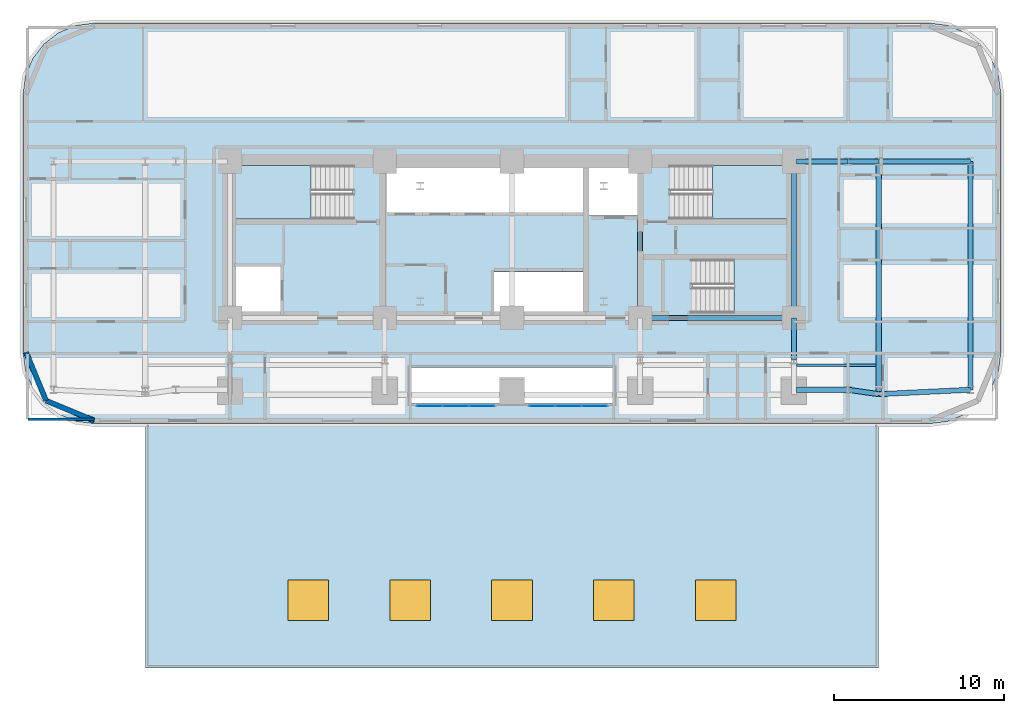
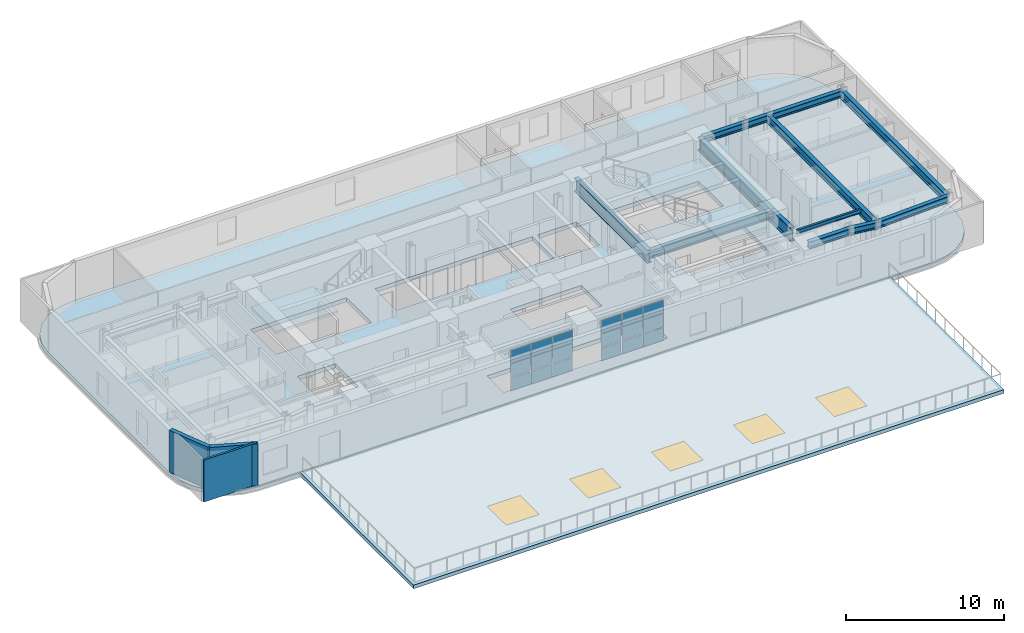
# One storey, part 6 of 15: 18 plates, 13 beams, 5 slabs, 5 windows, 3 walls, 5 openings, 5 elements without a shape of their own.
"""IFC4 building model written with IfcOpenShell, lengths in metres."""

from ifc_helpers import new_model, si_unit, direction, frame, frame_2d, origin, origin_2d, place, context, subcontext, project, spatial, polyline, rectangle, i_section, outline, extrude, material, layer, layer_set, material_profile, profile_set, type_object, element, fill, aggregate, save


model = new_model("IFC4")

# Units and contexts
model_context = context("Model", 3, precision=1e-05, world=origin(), true_north=direction((0.0, 1.0)))
body_context = subcontext(model_context, "Body", "Model", "MODEL_VIEW")
ifc_project = project(units=[si_unit("LENGTHUNIT", "METRE"), si_unit("AREAUNIT", "SQUARE_METRE"), si_unit("VOLUMEUNIT", "CUBIC_METRE"), si_unit("PLANEANGLEUNIT", "RADIAN"), si_unit("MASSUNIT", "GRAM", prefix="KILO")], contexts=[model_context])

# Site, building, storey
site_placement = place(None, origin())
site = spatial("IfcSite", under=ifc_project, at=site_placement, CompositionType="ELEMENT")
building_placement = place(site_placement, origin())
building = spatial("IfcBuilding", under=site, at=building_placement, Name="Zarnavel Station Tower", CompositionType="ELEMENT")
storey_placement = place(building_placement, frame((0.0, 0.0, 29.0)))
storey = spatial("IfcBuildingStorey", under=building, at=storey_placement, Name="L07", CompositionType="ELEMENT", Elevation=29.0)

# Beams
ifc_material_1 = material(Name="Steel S355J2", Category="steel")
ifc_material_profile_1 = material_profile(ifc_material_1, i_section(OverallWidth=0.300048828125, OverallDepth=0.5, WebThickness=0.014404296875, FlangeThickness=0.028076171875, FilletRadius=0.027099609375, at=origin_2d()), Name="HEB500")
ifc_profile_set_1 = profile_set([ifc_material_profile_1], Name="Steel S355J2")
beam_type_1 = type_object("IfcBeamType", Name="FG_HEB500", PredefinedType="USERDEFINED", material=ifc_profile_set_1)
for number, where, z_axis, x_axis, name in (
    (1, (45.544921875, 23.60009765625, 2.989990234375), (1.0, 0.0, 0.0), (0.0, 1.0, 0.0), "L07 East Wing South Tie 1"),
    (2, (45.544921875, 37.050048828125, 2.989990234375), (1.0, 0.0, 0.0), (0.0, 1.0, 0.0), "L07 East Wing North Tie 1"),
):
    element("IfcBeam", number, at=place(storey_placement, frame(where, z_axis=z_axis, x_axis=x_axis)), inside=storey, type_object=beam_type_1, Name=name, ObjectType="GIRDER", PredefinedType="USERDEFINED", context=body_context, shape_type="SweptSolid", body=[
        extrude(i_section(OverallWidth=0.300048828125, OverallDepth=0.5, WebThickness=0.014404296875, FlangeThickness=0.028076171875, FilletRadius=0.027099609375, at=origin_2d()), origin(), (0.0, 0.0, 1.0), 3.05517578125),
    ])
beam_1_placement = place(storey_placement, frame((48.60009765625, 23.60009765625, 2.989990234375), z_axis=(0.989744391991, -0.142849706061, 0.0), x_axis=(0.142849706061, 0.989744391991, 0.0)))
element("IfcBeam", 3, at=beam_1_placement, inside=storey, type_object=beam_type_1, Name="L07 East Wing South Tie 2", ObjectType="GIRDER", PredefinedType="USERDEFINED", context=body_context, shape_type="SweptSolid", body=[
    extrude(i_section(OverallWidth=0.300048828125, OverallDepth=0.5, WebThickness=0.014404296875, FlangeThickness=0.028076171875, FilletRadius=0.027099609375, at=origin_2d()), origin(), (0.0, 0.0, 1.0), 1.818359375),
])
beam_2_placement = place(storey_placement, frame((48.60009765625, 37.050048828125, 2.989990234375), z_axis=(1.0, 0.0, 0.0), x_axis=(0.0, 1.0, 0.0)))
element("IfcBeam", 4, at=beam_2_placement, inside=storey, type_object=beam_type_1, Name="L07 East Wing North Tie 2", ObjectType="GIRDER", PredefinedType="USERDEFINED", context=body_context, shape_type="SweptSolid", body=[
    extrude(i_section(OverallWidth=0.300048828125, OverallDepth=0.5, WebThickness=0.014404296875, FlangeThickness=0.028076171875, FilletRadius=0.027099609375, at=origin_2d()), origin(), (0.0, 0.0, 1.0), 1.7998046875),
])
beam_3_placement = place(storey_placement, frame((50.39990234375, 23.34033203125, 2.989990234375), z_axis=(0.998845033514, 0.048047882619, 0.0), x_axis=(-0.048047882619, 0.998845033514, 0.0)))
element("IfcBeam", 5, at=beam_3_placement, inside=storey, type_object=beam_type_1, Name="L07 East Wing South Tie 3", ObjectType="GIRDER", PredefinedType="USERDEFINED", context=body_context, shape_type="SweptSolid", body=[
    extrude(i_section(OverallWidth=0.300048828125, OverallDepth=0.5, WebThickness=0.014404296875, FlangeThickness=0.028076171875, FilletRadius=0.027099609375, at=origin_2d()), origin(), (0.0, 0.0, 1.0), 5.406494140625),
])
beam_4_placement = place(storey_placement, frame((50.39990234375, 37.050048828125, 2.989990234375), z_axis=(1.0, 0.0, 0.0), x_axis=(0.0, 1.0, 0.0)))
element("IfcBeam", 6, at=beam_4_placement, inside=storey, type_object=beam_type_1, Name="L07 East Wing North Tie 3", ObjectType="GIRDER", PredefinedType="USERDEFINED", context=body_context, shape_type="SweptSolid", body=[
    extrude(i_section(OverallWidth=0.300048828125, OverallDepth=0.5, WebThickness=0.014404296875, FlangeThickness=0.028076171875, FilletRadius=0.027099609375, at=origin_2d()), origin(), (0.0, 0.0, 1.0), 5.400146484375),
])
ifc_material_2 = material(Name="Steel S355J2", Category="steel")
ifc_material_profile_2 = material_profile(ifc_material_2, i_section(OverallWidth=0.300048828125, OverallDepth=0.60009765625, WebThickness=0.015380859375, FlangeThickness=0.030029296875, FilletRadius=0.027099609375, at=origin_2d()), Name="HEB600")
ifc_profile_set_2 = profile_set([ifc_material_profile_2], Name="Steel S355J2")
beam_type_2 = type_object("IfcBeamType", Name="FG_HEB600", PredefinedType="USERDEFINED", material=ifc_profile_set_2)
beam_5_placement = place(storey_placement, frame((36.35009765625, 27.820068359375, 2.93994140625), z_axis=(1.0, 0.0, 0.0), x_axis=(0.0, 1.0, 0.0)))
element("IfcBeam", 7, at=beam_5_placement, inside=storey, type_object=beam_type_2, Name="L07 Core Front Coupling Beam 4", ObjectType="GIRDER", PredefinedType="USERDEFINED", context=body_context, shape_type="SweptSolid", body=[
    extrude(i_section(OverallWidth=0.300048828125, OverallDepth=0.60009765625, WebThickness=0.015380859375, FlangeThickness=0.030029296875, FilletRadius=0.027099609375, at=origin_2d()), origin(), (0.0, 0.0, 1.0), 9.0498046875),
])
ifc_material_3 = material(Name="Steel S355J2", Category="steel")
ifc_material_profile_3 = material_profile(ifc_material_3, i_section(OverallWidth=0.300048828125, OverallDepth=0.64990234375, WebThickness=0.01611328125, FlangeThickness=0.031005859375, FilletRadius=0.027099609375, at=origin_2d()), Name="HEB650")
ifc_profile_set_3 = profile_set([ifc_material_profile_3], Name="Steel S355J2")
beam_type_3 = type_object("IfcBeamType", Name="FG_HEB650", PredefinedType="USERDEFINED", material=ifc_profile_set_3)
beam_6_placement = place(storey_placement, frame((50.39990234375, 23.34033203125, 2.9150390625), z_axis=(0.0, 1.0, 0.0), x_axis=(-1.0, 0.0, 0.0)))
element("IfcBeam", 8, at=beam_6_placement, inside=storey, type_object=beam_type_3, Name="L07 Wing NS Girder 3", ObjectType="GIRDER", PredefinedType="USERDEFINED", context=body_context, shape_type="SweptSolid", body=[
    extrude(i_section(OverallWidth=0.300048828125, OverallDepth=0.64990234375, WebThickness=0.01611328125, FlangeThickness=0.031005859375, FilletRadius=0.027099609375, at=origin_2d()), origin(), (0.0, 0.0, 1.0), 13.709716796875),
])
beam_7_placement = place(storey_placement, frame((55.800048828125, 23.60009765625, 2.9150390625), z_axis=(0.0, 1.0, 0.0), x_axis=(-1.0, 0.0, 0.0)))
element("IfcBeam", 9, at=beam_7_placement, inside=storey, type_object=beam_type_3, Name="L07 Wing NS Girder 4", ObjectType="GIRDER", PredefinedType="USERDEFINED", context=body_context, shape_type="SweptSolid", body=[
    extrude(i_section(OverallWidth=0.300048828125, OverallDepth=0.64990234375, WebThickness=0.01611328125, FlangeThickness=0.031005859375, FilletRadius=0.027099609375, at=origin_2d()), origin(), (0.0, 0.0, 1.0), 13.449951171875),
])
ifc_material_4 = material(Name="Steel S355J2", Category="steel")
ifc_material_profile_4 = material_profile(ifc_material_4, i_section(OverallWidth=0.14990234375, OverallDepth=0.300048828125, WebThickness=0.007080078125, FlangeThickness=0.0107421875, FilletRadius=0.014892578125, at=origin_2d()), Name="IPE300")
ifc_profile_set_4 = profile_set([ifc_material_profile_4], Name="Steel S355J2")
beam_type_4 = type_object("IfcBeamType", Name="FJ_IPE300", PredefinedType="JOIST", material=ifc_profile_set_4)
beam_8_placement = place(storey_placement, frame((45.544921875, 25.052001953125, 3.090087890625), z_axis=(1.0, 0.0, 0.0), x_axis=(0.0, 1.0, 0.0)))
element("IfcBeam", 10, at=beam_8_placement, inside=storey, type_object=beam_type_4, Name="L07 East Wing Joist 2", PredefinedType="JOIST", context=body_context, shape_type="SweptSolid", body=[
    extrude(i_section(OverallWidth=0.14990234375, OverallDepth=0.300048828125, WebThickness=0.007080078125, FlangeThickness=0.0107421875, FilletRadius=0.014892578125, at=origin_2d()), origin(), (0.0, 0.0, 1.0), 4.7099609375),
])
ifc_material_5 = material(Name="Steel S460M", Category="steel")
ifc_material_profile_5 = material_profile(ifc_material_5, i_section(OverallWidth=0.302001953125, OverallDepth=1.008056640625, WebThickness=0.02099609375, FlangeThickness=0.0400390625, FilletRadius=0.030029296875, at=origin_2d()), Name="HEM1000")
ifc_profile_set_5 = profile_set([ifc_material_profile_5], Name="Steel S460M")
beam_type_5 = type_object("IfcBeamType", Name="TG_HEM1000", PredefinedType="USERDEFINED", material=ifc_profile_set_5)
for number, where, z_axis, x_axis, name in (
    (11, (36.35009765625, 27.820068359375, 2.736083984375), (0.0, 1.0, 0.0), (-1.0, 0.0, 0.0), "L07 Core Spine Coupling Girder 4"),
    (12, (45.39990234375, 27.820068359375, 2.736083984375), (0.0, 1.0, 0.0), (-1.0, 0.0, 0.0), "L07 Core Spine Coupling Girder 5"),
):
    element("IfcBeam", number, at=place(storey_placement, frame(where, z_axis=z_axis, x_axis=x_axis)), inside=storey, type_object=beam_type_5, Name=name, ObjectType="GIRDER", PredefinedType="USERDEFINED", context=body_context, shape_type="SweptSolid", body=[
        extrude(i_section(OverallWidth=0.302001953125, OverallDepth=1.008056640625, WebThickness=0.02099609375, FlangeThickness=0.0400390625, FilletRadius=0.030029296875, at=origin_2d()), origin(), (0.0, 0.0, 1.0), 9.22998046875),
    ])
beam_9_placement = place(storey_placement, frame((45.39990234375, 25.35009765625, 2.736083984375), z_axis=(0.0, 1.0, 0.0), x_axis=(-1.0, 0.0, 0.0)))
element("IfcBeam", 13, at=beam_9_placement, inside=storey, type_object=beam_type_5, Name="L07 Inner-Zone NS Girder 5", ObjectType="GIRDER", PredefinedType="USERDEFINED", context=body_context, shape_type="SweptSolid", body=[
    extrude(i_section(OverallWidth=0.302001953125, OverallDepth=1.008056640625, WebThickness=0.02099609375, FlangeThickness=0.0400390625, FilletRadius=0.030029296875, at=origin_2d()), origin(), (0.0, 0.0, 1.0), 2.469970703125),
])

# Curtain wall, plates
ifc_material_6 = material(Name="Aluminium Dark Anodised and Solar-Control Glass", Category="aluminium")
ifc_layer_1 = layer(ifc_material_6, 0.179931640625)
ifc_layer_set_1 = layer_set([ifc_layer_1], Name="CWS2")
curtain_wall_type = type_object("IfcCurtainWallType", Name="CWS2", PredefinedType="NOTDEFINED", material=ifc_layer_set_1)
curtain_wall_1_placement = place(storey_placement, origin())
curtain_wall_1 = element("IfcCurtainWall", 14, at=curtain_wall_1_placement, inside=storey, type_object=curtain_wall_type, Name="L07 Curtain Wall CWS2-L07-AS-S1", PredefinedType="NOTDEFINED")
ifc_material_7 = material(Name="Double Low-E Dark Solar-Control Glass", Category="glass")
ifc_layer_2 = layer(ifc_material_7, 0.028076171875)
ifc_layer_set_2 = layer_set([ifc_layer_2], Name="CWS2_PNL")
plate_type = type_object("IfcPlateType", Name="CWS2_PNL", PredefinedType="CURTAIN_PANEL", material=ifc_layer_set_2)
plate_1_placement = place(storey_placement, frame((23.943359375, 22.64990234375, 0.06005859375), z_axis=(0.0, 0.0, 1.0), x_axis=(1.0, 0.0, 0.0)))
plate_1 = element("IfcPlate", 15, at=plate_1_placement, type_object=plate_type, Name="CW2 panel 1.1", PredefinedType="CURTAIN_PANEL", context=body_context, shape_type="SweptSolid", body=[
    extrude(rectangle(XDim=1.466552734375, YDim=0.028076171875, at=origin_2d()), origin(), (0.0, 0.0, 1.0), 0.989990234375),
])
plate_2_placement = place(storey_placement, frame((23.943359375, 22.64990234375, 1.110107421875), z_axis=(0.0, 0.0, 1.0), x_axis=(1.0, 0.0, 0.0)))
plate_2 = element("IfcPlate", 16, at=plate_2_placement, type_object=plate_type, Name="CW2 panel 1.2", PredefinedType="CURTAIN_PANEL", context=body_context, shape_type="SweptSolid", body=[
    extrude(rectangle(XDim=1.466552734375, YDim=0.028076171875, at=origin_2d()), origin(), (0.0, 0.0, 1.0), 1.02001953125),
])
plate_3_placement = place(storey_placement, frame((23.943359375, 22.64990234375, 2.18994140625), z_axis=(0.0, 0.0, 1.0), x_axis=(1.0, 0.0, 0.0)))
plate_3 = element("IfcPlate", 17, at=plate_3_placement, type_object=plate_type, Name="CW2 panel 1.3", PredefinedType="CURTAIN_PANEL", context=body_context, shape_type="SweptSolid", body=[
    extrude(rectangle(XDim=1.466552734375, YDim=0.028076171875, at=origin_2d()), origin(), (0.0, 0.0, 1.0), 0.989990234375),
])
plate_4_placement = place(storey_placement, frame((25.485107421875, 22.64990234375, 0.06005859375), z_axis=(0.0, 0.0, 1.0), x_axis=(1.0, 0.0, 0.0)))
plate_4 = element("IfcPlate", 18, at=plate_4_placement, type_object=plate_type, Name="CW2 panel 2.1", PredefinedType="CURTAIN_PANEL", context=body_context, shape_type="SweptSolid", body=[
    extrude(rectangle(XDim=1.49658203125, YDim=0.028076171875, at=origin_2d()), origin(), (0.0, 0.0, 1.0), 0.989990234375),
])
plate_5_placement = place(storey_placement, frame((25.485107421875, 22.64990234375, 1.110107421875), z_axis=(0.0, 0.0, 1.0), x_axis=(1.0, 0.0, 0.0)))
plate_5 = element("IfcPlate", 19, at=plate_5_placement, type_object=plate_type, Name="CW2 panel 2.2", PredefinedType="CURTAIN_PANEL", context=body_context, shape_type="SweptSolid", body=[
    extrude(rectangle(XDim=1.49658203125, YDim=0.028076171875, at=origin_2d()), origin(), (0.0, 0.0, 1.0), 1.02001953125),
])
plate_6_placement = place(storey_placement, frame((25.485107421875, 22.64990234375, 2.18994140625), z_axis=(0.0, 0.0, 1.0), x_axis=(1.0, 0.0, 0.0)))
plate_6 = element("IfcPlate", 20, at=plate_6_placement, type_object=plate_type, Name="CW2 panel 2.3", PredefinedType="CURTAIN_PANEL", context=body_context, shape_type="SweptSolid", body=[
    extrude(rectangle(XDim=1.49658203125, YDim=0.028076171875, at=origin_2d()), origin(), (0.0, 0.0, 1.0), 0.989990234375),
])
plate_7_placement = place(storey_placement, frame((27.026611328125, 22.64990234375, 0.06005859375), z_axis=(0.0, 0.0, 1.0), x_axis=(1.0, 0.0, 0.0)))
plate_7 = element("IfcPlate", 21, at=plate_7_placement, type_object=plate_type, Name="CW2 panel 3.1", PredefinedType="CURTAIN_PANEL", context=body_context, shape_type="SweptSolid", body=[
    extrude(rectangle(XDim=1.466552734375, YDim=0.028076171875, at=origin_2d()), origin(), (0.0, 0.0, 1.0), 0.989990234375),
])
plate_8_placement = place(storey_placement, frame((27.026611328125, 22.64990234375, 1.110107421875), z_axis=(0.0, 0.0, 1.0), x_axis=(1.0, 0.0, 0.0)))
plate_8 = element("IfcPlate", 22, at=plate_8_placement, type_object=plate_type, Name="CW2 panel 3.2", PredefinedType="CURTAIN_PANEL", context=body_context, shape_type="SweptSolid", body=[
    extrude(rectangle(XDim=1.466552734375, YDim=0.028076171875, at=origin_2d()), origin(), (0.0, 0.0, 1.0), 1.02001953125),
])
plate_9_placement = place(storey_placement, frame((27.026611328125, 22.64990234375, 2.18994140625), z_axis=(0.0, 0.0, 1.0), x_axis=(1.0, 0.0, 0.0)))
plate_9 = element("IfcPlate", 23, at=plate_9_placement, type_object=plate_type, Name="CW2 panel 3.3", PredefinedType="CURTAIN_PANEL", context=body_context, shape_type="SweptSolid", body=[
    extrude(rectangle(XDim=1.466552734375, YDim=0.028076171875, at=origin_2d()), origin(), (0.0, 0.0, 1.0), 0.989990234375),
])
aggregate(curtain_wall_1, [plate_1, plate_2, plate_3, plate_4, plate_5, plate_6, plate_7, plate_8, plate_9])

curtain_wall_2_placement = place(storey_placement, origin())
curtain_wall_2 = element("IfcCurtainWall", 24, at=curtain_wall_2_placement, inside=storey, type_object=curtain_wall_type, Name="L07 Curtain Wall CWS2-L07-AS-S2", PredefinedType="NOTDEFINED")
plate_10_placement = place(storey_placement, frame((30.5732421875, 22.64990234375, 0.06005859375), z_axis=(0.0, 0.0, 1.0), x_axis=(1.0, 0.0, 0.0)))
plate_10 = element("IfcPlate", 25, at=plate_10_placement, type_object=plate_type, Name="CW2 panel 1.1", PredefinedType="CURTAIN_PANEL", context=body_context, shape_type="SweptSolid", body=[
    extrude(rectangle(XDim=1.466552734375, YDim=0.028076171875, at=origin_2d()), origin(), (0.0, 0.0, 1.0), 0.989990234375),
])
plate_11_placement = place(storey_placement, frame((30.5732421875, 22.64990234375, 1.110107421875), z_axis=(0.0, 0.0, 1.0), x_axis=(1.0, 0.0, 0.0)))
plate_11 = element("IfcPlate", 26, at=plate_11_placement, type_object=plate_type, Name="CW2 panel 1.2", PredefinedType="CURTAIN_PANEL", context=body_context, shape_type="SweptSolid", body=[
    extrude(rectangle(XDim=1.466552734375, YDim=0.028076171875, at=origin_2d()), origin(), (0.0, 0.0, 1.0), 1.02001953125),
])
plate_12_placement = place(storey_placement, frame((30.5732421875, 22.64990234375, 2.18994140625), z_axis=(0.0, 0.0, 1.0), x_axis=(1.0, 0.0, 0.0)))
plate_12 = element("IfcPlate", 27, at=plate_12_placement, type_object=plate_type, Name="CW2 panel 1.3", PredefinedType="CURTAIN_PANEL", context=body_context, shape_type="SweptSolid", body=[
    extrude(rectangle(XDim=1.466552734375, YDim=0.028076171875, at=origin_2d()), origin(), (0.0, 0.0, 1.0), 0.989990234375),
])
plate_13_placement = place(storey_placement, frame((32.114990234375, 22.64990234375, 0.06005859375), z_axis=(0.0, 0.0, 1.0), x_axis=(1.0, 0.0, 0.0)))
plate_13 = element("IfcPlate", 28, at=plate_13_placement, type_object=plate_type, Name="CW2 panel 2.1", PredefinedType="CURTAIN_PANEL", context=body_context, shape_type="SweptSolid", body=[
    extrude(rectangle(XDim=1.49658203125, YDim=0.028076171875, at=origin_2d()), origin(), (0.0, 0.0, 1.0), 0.989990234375),
])
plate_14_placement = place(storey_placement, frame((32.114990234375, 22.64990234375, 1.110107421875), z_axis=(0.0, 0.0, 1.0), x_axis=(1.0, 0.0, 0.0)))
plate_14 = element("IfcPlate", 29, at=plate_14_placement, type_object=plate_type, Name="CW2 panel 2.2", PredefinedType="CURTAIN_PANEL", context=body_context, shape_type="SweptSolid", body=[
    extrude(rectangle(XDim=1.49658203125, YDim=0.028076171875, at=origin_2d()), origin(), (0.0, 0.0, 1.0), 1.02001953125),
])
plate_15_placement = place(storey_placement, frame((32.114990234375, 22.64990234375, 2.18994140625), z_axis=(0.0, 0.0, 1.0), x_axis=(1.0, 0.0, 0.0)))
plate_15 = element("IfcPlate", 30, at=plate_15_placement, type_object=plate_type, Name="CW2 panel 2.3", PredefinedType="CURTAIN_PANEL", context=body_context, shape_type="SweptSolid", body=[
    extrude(rectangle(XDim=1.49658203125, YDim=0.028076171875, at=origin_2d()), origin(), (0.0, 0.0, 1.0), 0.989990234375),
])
plate_16_placement = place(storey_placement, frame((33.65673828125, 22.64990234375, 0.06005859375), z_axis=(0.0, 0.0, 1.0), x_axis=(1.0, 0.0, 0.0)))
plate_16 = element("IfcPlate", 31, at=plate_16_placement, type_object=plate_type, Name="CW2 panel 3.1", PredefinedType="CURTAIN_PANEL", context=body_context, shape_type="SweptSolid", body=[
    extrude(rectangle(XDim=1.466552734375, YDim=0.028076171875, at=origin_2d()), origin(), (0.0, 0.0, 1.0), 0.989990234375),
])
plate_17_placement = place(storey_placement, frame((33.65673828125, 22.64990234375, 1.110107421875), z_axis=(0.0, 0.0, 1.0), x_axis=(1.0, 0.0, 0.0)))
plate_17 = element("IfcPlate", 32, at=plate_17_placement, type_object=plate_type, Name="CW2 panel 3.2", PredefinedType="CURTAIN_PANEL", context=body_context, shape_type="SweptSolid", body=[
    extrude(rectangle(XDim=1.466552734375, YDim=0.028076171875, at=origin_2d()), origin(), (0.0, 0.0, 1.0), 1.02001953125),
])
plate_18_placement = place(storey_placement, frame((33.65673828125, 22.64990234375, 2.18994140625), z_axis=(0.0, 0.0, 1.0), x_axis=(1.0, 0.0, 0.0)))
plate_18 = element("IfcPlate", 33, at=plate_18_placement, type_object=plate_type, Name="CW2 panel 3.3", PredefinedType="CURTAIN_PANEL", context=body_context, shape_type="SweptSolid", body=[
    extrude(rectangle(XDim=1.466552734375, YDim=0.028076171875, at=origin_2d()), origin(), (0.0, 0.0, 1.0), 0.989990234375),
])
aggregate(curtain_wall_2, [plate_10, plate_11, plate_12, plate_13, plate_14, plate_15, plate_16, plate_17, plate_18])

# Slab
ifc_material_8 = material(Name="Concrete C45/55", Category="concrete")
ifc_layer_3 = layer(ifc_material_8, 0.320068359375)
ifc_layer_set_3 = layer_set([ifc_layer_3], Name="SL_FLR_320")
slab_type_1 = type_object("IfcSlabType", Name="SL_FLR_320", PredefinedType="FLOOR", material=ifc_layer_set_3)
slab_1_placement = place(storey_placement, frame((0.0, 0.0, -0.320068359375)))
element("IfcSlab", 34, at=slab_1_placement, inside=storey, type_object=slab_type_1, Name="L07 Structural Floor Slab", PredefinedType="FLOOR", context=body_context, shape_type="SweptSolid", body=[
    extrude(outline(polyline([(53.39990234375, 21.60009765625), (54.487060546875, 21.7431640625), (55.5, 22.16259765625), (56.369873046875, 22.830078125), (57.037353515625, 23.699951171875), (57.456787109375, 24.712890625), (57.60009765625, 25.800048828125), (57.60009765625, 41.0), (57.456787109375, 42.0869140625), (57.037353515625, 43.10009765625), (56.369873046875, 43.9697265625), (55.5, 44.63720703125), (54.487060546875, 45.056884765625), (53.39990234375, 45.199951171875), (4.199951171875, 45.199951171875), (3.113037109375, 45.056884765625), (2.10009765625, 44.63720703125), (1.230224609375, 43.9697265625), (0.562744140625, 43.10009765625), (0.14306640625, 42.0869140625), (0.0, 41.0), (0.0, 25.800048828125), (0.14306640625, 24.712890625), (0.562744140625, 23.699951171875), (1.230224609375, 22.830078125), (2.10009765625, 22.16259765625), (3.113037109375, 21.7431640625), (4.199951171875, 21.60009765625), (53.39990234375, 21.60009765625)]), holes=[polyline([(12.39990234375, 33.659912109375), (19.409912109375, 33.659912109375), (19.409912109375, 36.820068359375), (12.39990234375, 36.820068359375), (12.39990234375, 33.659912109375)]), polyline([(38.14990234375, 33.659912109375), (45.159912109375, 33.659912109375), (45.159912109375, 36.820068359375), (38.14990234375, 36.820068359375), (38.14990234375, 33.659912109375)]), polyline([(39.419921875, 28.1201171875), (45.14990234375, 28.1201171875), (45.14990234375, 31.280029296875), (39.419921875, 31.280029296875), (39.419921875, 28.1201171875)]), polyline([(12.35009765625, 27.949951171875), (15.14990234375, 27.949951171875), (15.14990234375, 30.85009765625), (12.35009765625, 30.85009765625), (12.35009765625, 27.949951171875)]), polyline([(33.320068359375, 33.85009765625), (36.2099609375, 33.85009765625), (36.2099609375, 36.780029296875), (33.320068359375, 36.780029296875), (33.320068359375, 33.85009765625)]), polyline([(21.449951171875, 34.050048828125), (32.97998046875, 34.050048828125), (32.97998046875, 36.780029296875), (21.449951171875, 36.780029296875), (21.449951171875, 34.050048828125)]), polyline([(27.75, 27.949951171875), (32.97998046875, 27.949951171875), (32.97998046875, 30.550048828125), (27.75, 30.550048828125), (27.75, 27.949951171875)]), polyline([(22.800048828125, 22.800048828125), (34.800048828125, 22.800048828125), (34.800048828125, 24.89990234375), (22.800048828125, 24.89990234375), (22.800048828125, 22.800048828125)])]), origin(), (0.0, 0.0, 1.0), 0.320068359375),
])

# Stair, slab
ifc_material_9 = material(Name="Concrete C45/55", Category="concrete")
stair_type = type_object("IfcStairType", Name="ST_CORE_150", PredefinedType="HALF_TURN_STAIR", material=ifc_material_9)
stair_1_placement = place(storey_placement, origin())
stair_1 = element("IfcStair", 35, at=stair_1_placement, inside=storey, type_object=stair_type, Name="L07 Core Exit Stair ST1", PredefinedType="HALF_TURN_STAIR")
ifc_material_10 = material(Name="Concrete C45/55", Category="concrete")
ifc_layer_4 = layer(ifc_material_10, 0.199951171875)
ifc_layer_set_4 = layer_set([ifc_layer_4], Name="SL_STAIR_LAND_200")
slab_type_2 = type_object("IfcSlabType", Name="SL_STAIR_LAND_200", PredefinedType="LANDING", material=ifc_layer_set_4)
slab_2_placement = place(storey_placement, frame((0.0, 0.0, 1.550048828125)))
slab_2 = element("IfcSlab", 36, at=slab_2_placement, type_object=slab_type_2, Name="ST1 landing 1", PredefinedType="LANDING", context=body_context, shape_type="SweptSolid", body=[
    extrude(outline(polyline([(16.9599609375, 36.820068359375), (12.39990234375, 36.820068359375), (12.39990234375, 33.659912109375), (16.9599609375, 33.659912109375), (16.9599609375, 36.820068359375)])), origin(), (0.0, 0.0, 1.0), 0.199951171875),
])
aggregate(stair_1, [slab_2])

stair_2_placement = place(storey_placement, origin())
stair_2 = element("IfcStair", 37, at=stair_2_placement, inside=storey, type_object=stair_type, Name="L07 Core Exit Stair ST2", PredefinedType="HALF_TURN_STAIR")
slab_3_placement = place(storey_placement, frame((0.0, 0.0, 1.550048828125)))
slab_3 = element("IfcSlab", 38, at=slab_3_placement, type_object=slab_type_2, Name="ST2 landing 1", PredefinedType="LANDING", context=body_context, shape_type="SweptSolid", body=[
    extrude(outline(polyline([(40.60009765625, 33.659912109375), (45.159912109375, 33.659912109375), (45.159912109375, 36.820068359375), (40.60009765625, 36.820068359375), (40.60009765625, 33.659912109375)])), origin(), (0.0, 0.0, 1.0), 0.199951171875),
])
aggregate(stair_2, [slab_3])

stair_3_placement = place(storey_placement, origin())
stair_3 = element("IfcStair", 39, at=stair_3_placement, inside=storey, type_object=stair_type, Name="L07 Core Exit Stair ST3", PredefinedType="HALF_TURN_STAIR")
slab_4_placement = place(storey_placement, frame((0.0, 0.0, 1.550048828125)))
slab_4 = element("IfcSlab", 40, at=slab_4_placement, type_object=slab_type_2, Name="ST3 landing 1", PredefinedType="LANDING", context=body_context, shape_type="SweptSolid", body=[
    extrude(outline(polyline([(41.8701171875, 28.1201171875), (45.14990234375, 28.1201171875), (45.14990234375, 31.280029296875), (41.8701171875, 31.280029296875), (41.8701171875, 28.1201171875)])), origin(), (0.0, 0.0, 1.0), 0.199951171875),
])
aggregate(stair_3, [slab_4])

# Slab, openings, windows
ifc_material_11 = material(Name="Concrete C45/55", Category="concrete")
ifc_layer_5 = layer(ifc_material_11, 0.280029296875)
ifc_layer_set_5 = layer_set([ifc_layer_5], Name="SL_TER_280")
slab_type_3 = type_object("IfcSlabType", Name="SL_TER_280", PredefinedType="FLOOR", material=ifc_layer_set_5)
slab_5_placement = place(storey_placement, frame((0.0, 0.0, -0.280029296875)))
slab_5 = element("IfcSlab", 41, at=slab_5_placement, inside=storey, type_object=slab_type_3, Name="L07 Outdoor Setback Terrace Slab TER-L07-S", PredefinedType="FLOOR", context=body_context, shape_type="SweptSolid", body=[
    extrude(outline(polyline([(7.199951171875, 7.199951171875), (50.39990234375, 7.199951171875), (50.39990234375, 21.60009765625), (7.199951171875, 21.60009765625), (7.199951171875, 7.199951171875)]), holes=[polyline([(15.60009765625, 10.0), (18.0, 10.0), (18.0, 12.39990234375), (15.60009765625, 12.39990234375), (15.60009765625, 10.0)]), polyline([(21.60009765625, 10.0), (24.0, 10.0), (24.0, 12.39990234375), (21.60009765625, 12.39990234375), (21.60009765625, 10.0)]), polyline([(27.60009765625, 10.0), (30.0, 10.0), (30.0, 12.39990234375), (27.60009765625, 12.39990234375), (27.60009765625, 10.0)]), polyline([(33.60009765625, 10.0), (36.0, 10.0), (36.0, 12.39990234375), (33.60009765625, 12.39990234375), (33.60009765625, 10.0)]), polyline([(39.60009765625, 10.0), (42.0, 10.0), (42.0, 12.39990234375), (39.60009765625, 12.39990234375), (39.60009765625, 10.0)])]), origin(), (0.0, 0.0, 1.0), 0.280029296875),
])
opening_1_placement = place(slab_5_placement, frame((16.800048828125, 11.199951171875, 0.0)))
opening_1 = element("IfcOpeningElement", 42, at=opening_1_placement, cuts=slab_5, Name="Opening SK01", PredefinedType="OPENING", context=body_context, shape_type="SweptSolid", body=[
    extrude(rectangle(XDim=2.39990234375, YDim=2.39990234375, at=origin_2d()), origin(), (0.0, 0.0, 1.0), 0.280029296875),
])
opening_2_placement = place(slab_5_placement, frame((22.800048828125, 11.199951171875, 0.0)))
opening_2 = element("IfcOpeningElement", 43, at=opening_2_placement, cuts=slab_5, Name="Opening SK01", PredefinedType="OPENING", context=body_context, shape_type="SweptSolid", body=[
    extrude(rectangle(XDim=2.39990234375, YDim=2.39990234375, at=origin_2d()), origin(), (0.0, 0.0, 1.0), 0.280029296875),
])
opening_3_placement = place(slab_5_placement, frame((28.800048828125, 11.199951171875, 0.0)))
opening_3 = element("IfcOpeningElement", 44, at=opening_3_placement, cuts=slab_5, Name="Opening SK01", PredefinedType="OPENING", context=body_context, shape_type="SweptSolid", body=[
    extrude(rectangle(XDim=2.39990234375, YDim=2.39990234375, at=origin_2d()), origin(), (0.0, 0.0, 1.0), 0.280029296875),
])
opening_4_placement = place(slab_5_placement, frame((34.800048828125, 11.199951171875, 0.0)))
opening_4 = element("IfcOpeningElement", 45, at=opening_4_placement, cuts=slab_5, Name="Opening SK01", PredefinedType="OPENING", context=body_context, shape_type="SweptSolid", body=[
    extrude(rectangle(XDim=2.39990234375, YDim=2.39990234375, at=origin_2d()), origin(), (0.0, 0.0, 1.0), 0.280029296875),
])
opening_5_placement = place(slab_5_placement, frame((40.800048828125, 11.199951171875, 0.0)))
opening_5 = element("IfcOpeningElement", 46, at=opening_5_placement, cuts=slab_5, Name="Opening SK01", PredefinedType="OPENING", context=body_context, shape_type="SweptSolid", body=[
    extrude(rectangle(XDim=2.39990234375, YDim=2.39990234375, at=origin_2d()), origin(), (0.0, 0.0, 1.0), 0.280029296875),
])
ifc_material_12 = material(Name="Thermally Broken Black Aluminium and Low-E Dark Glass", Category="aluminium")
window_type = type_object("IfcWindowType", Name="SK_2400x2400", PartitioningType="SINGLE_PANEL", PredefinedType="SKYLIGHT", material=ifc_material_12)
window_1_placement = place(opening_1_placement, frame((0.0, 0.0, 0.22998046875)))
window_1 = element("IfcWindow", 47, at=window_1_placement, inside=storey, type_object=window_type, Name="Podium Concourse Skylight 1", OverallHeight=2.39990234375, OverallWidth=2.39990234375, PartitioningType="SINGLE_PANEL", PredefinedType="SKYLIGHT", context=body_context, shape_type="SweptSolid", body=[
    extrude(rectangle(XDim=2.39990234375, YDim=2.39990234375, at=origin_2d()), origin(), (0.0, 0.0, 1.0), 0.050048828125),
])
fill(opening_1, window_1)
window_2_placement = place(opening_2_placement, frame((0.0, 0.0, 0.22998046875)))
window_2 = element("IfcWindow", 48, at=window_2_placement, inside=storey, type_object=window_type, Name="Podium Concourse Skylight 2", OverallHeight=2.39990234375, OverallWidth=2.39990234375, PartitioningType="SINGLE_PANEL", PredefinedType="SKYLIGHT", context=body_context, shape_type="SweptSolid", body=[
    extrude(rectangle(XDim=2.39990234375, YDim=2.39990234375, at=origin_2d()), origin(), (0.0, 0.0, 1.0), 0.050048828125),
])
fill(opening_2, window_2)
window_3_placement = place(opening_3_placement, frame((0.0, 0.0, 0.22998046875)))
window_3 = element("IfcWindow", 49, at=window_3_placement, inside=storey, type_object=window_type, Name="Podium Concourse Skylight 3", OverallHeight=2.39990234375, OverallWidth=2.39990234375, PartitioningType="SINGLE_PANEL", PredefinedType="SKYLIGHT", context=body_context, shape_type="SweptSolid", body=[
    extrude(rectangle(XDim=2.39990234375, YDim=2.39990234375, at=origin_2d()), origin(), (0.0, 0.0, 1.0), 0.050048828125),
])
fill(opening_3, window_3)
window_4_placement = place(opening_4_placement, frame((0.0, 0.0, 0.22998046875)))
window_4 = element("IfcWindow", 50, at=window_4_placement, inside=storey, type_object=window_type, Name="Podium Concourse Skylight 4", OverallHeight=2.39990234375, OverallWidth=2.39990234375, PartitioningType="SINGLE_PANEL", PredefinedType="SKYLIGHT", context=body_context, shape_type="SweptSolid", body=[
    extrude(rectangle(XDim=2.39990234375, YDim=2.39990234375, at=origin_2d()), origin(), (0.0, 0.0, 1.0), 0.050048828125),
])
fill(opening_4, window_4)
window_5_placement = place(opening_5_placement, frame((0.0, 0.0, 0.22998046875)))
window_5 = element("IfcWindow", 51, at=window_5_placement, inside=storey, type_object=window_type, Name="Podium Concourse Skylight 5", OverallHeight=2.39990234375, OverallWidth=2.39990234375, PartitioningType="SINGLE_PANEL", PredefinedType="SKYLIGHT", context=body_context, shape_type="SweptSolid", body=[
    extrude(rectangle(XDim=2.39990234375, YDim=2.39990234375, at=origin_2d()), origin(), (0.0, 0.0, 1.0), 0.050048828125),
])
fill(opening_5, window_5)

# Walls
ifc_material_13 = material(Name="Precast concrete C45/55 (Dark Basalt Finish)", Category="masonry")
ifc_layer_6 = layer(ifc_material_13, 0.300048828125)
ifc_layer_set_6 = layer_set([ifc_layer_6], Name="EW_BASALT_300")
wall_type_1 = type_object("IfcWallType", Name="EW_BASALT_300", PredefinedType="SOLIDWALL", material=ifc_layer_set_6)
for number, where, z_axis, x_axis, name in (
    (52, (1.357421875, 22.95751953125, 0.0), (0.0, 0.0, 1.0), (-0.382704529509, 0.923870793506, 0.0), "L07 Exterior Basalt Masonry Frame Wall 10"),
    (53, (4.199951171875, 21.780029296875, 0.0), (0.0, 0.0, 1.0), (-0.923870793506, 0.382704529509, 0.0), "L07 Exterior Basalt Masonry Frame Wall 11"),
):
    element("IfcWall", number, at=place(storey_placement, frame(where, z_axis=z_axis, x_axis=x_axis)), inside=storey, type_object=wall_type_1, Name=name, PredefinedType="SOLIDWALL", context=body_context, shape_type="SweptSolid", body=[
        extrude(rectangle(XDim=3.07666015625, YDim=0.300048828125, at=frame_2d((1.538330078125, 0.0))), origin(), (0.0, 0.0, 1.0), 3.239990234375),
    ])
ifc_material_14 = material(Name="Gypsum Twin-Stud Acoustic Fire Partition", Category="concrete")
ifc_layer_7 = layer(ifc_material_14, 0.159912109375)
ifc_layer_set_7 = layer_set([ifc_layer_7], Name="PT_DEMISE_160")
wall_type_2 = type_object("IfcWallType", Name="PT_DEMISE_160", PredefinedType="PARTITIONING", material=ifc_layer_set_7)
wall_placement = place(storey_placement, frame((0.2900390625, 21.860107421875, 0.0), z_axis=(0.0, 0.0, 1.0), x_axis=(1.0, 0.0, 0.0)))
element("IfcWall", 54, at=wall_placement, inside=storey, type_object=wall_type_2, Name="L07 Enclosure Wall L07SPA", PredefinedType="PARTITIONING", context=body_context, shape_type="SweptSolid", body=[
    extrude(rectangle(XDim=3.8798828125, YDim=0.159912109375, at=frame_2d((1.93994140625, 0.0))), origin(), (0.0, 0.0, 1.0), 3.239990234375),
])

save(model, "model.ifc")
